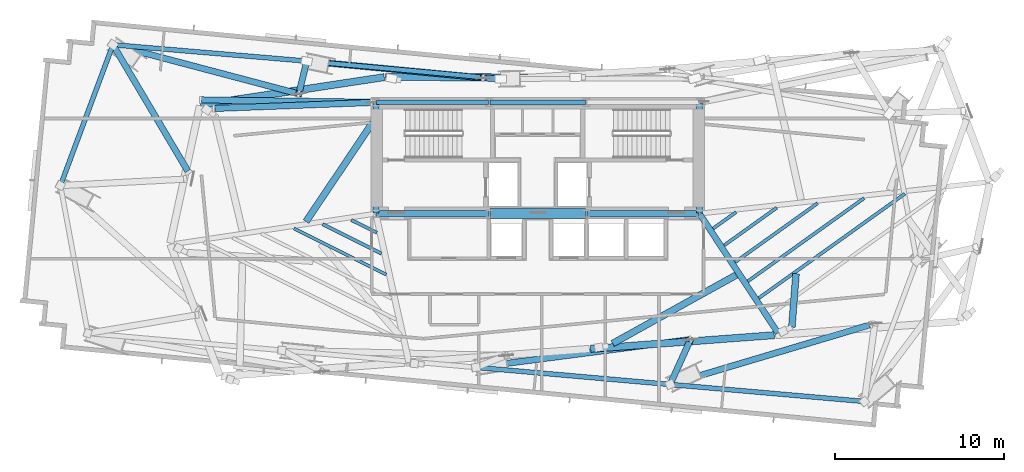
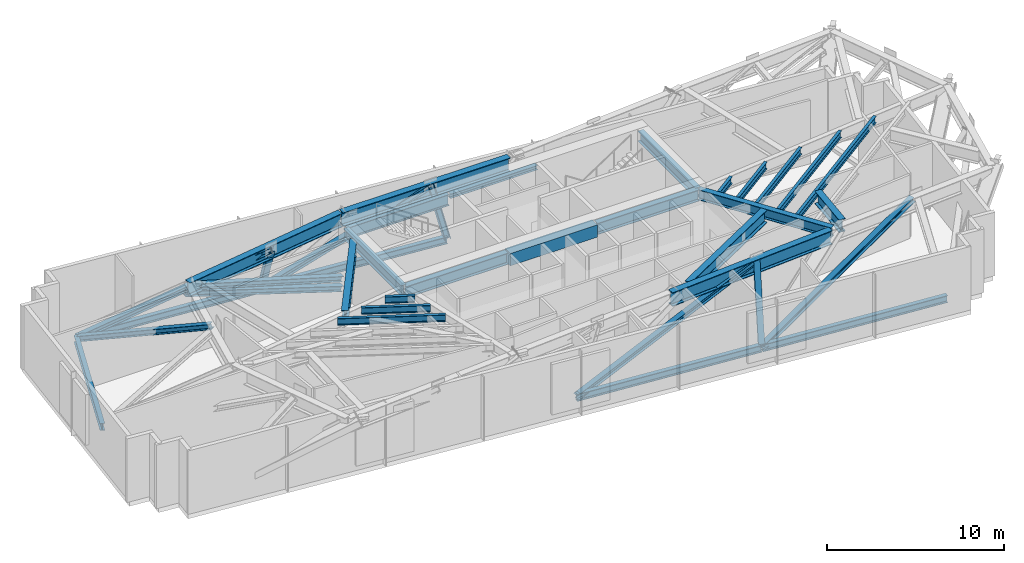
# One storey, part 2 of 10: 22 beams, 15 members.
"""IFC4 building model written with IfcOpenShell, lengths in metres."""

import ifcopenshell
import ifcopenshell.guid

model = None  # the IFC model being written
_history = None  # IfcOwnerHistory: only IFC2X3 demands one
_inside = {}  # id of a spatial element -> (the spatial element, [elements in it])
_under = {}  # id of a project, library or spatial element -> (it, [spatial elements below it])
_declared = {}  # id of a project -> (the project, [libraries it declares])
_typed = {}  # id of a type object -> (the type object, [elements of that type])
_made_of = {}  # id of a material, layer set ... -> (it, [elements and type objects made of it])


def new_model(schema):
    """Start an empty IFC model of exactly this schema.

    Asked for "IFC4X3", IfcOpenShell would pick the latest addendum, in which some entities
    have other attributes; the version numbers below select the first issue.
    IFC2X3 requires an IfcOwnerHistory on every rooted entity: one is made here for all.
    """
    global model, _history
    if schema == "IFC4X3":
        model = ifcopenshell.file(schema_version=(4, 3, 0, 0))
    else:
        model = ifcopenshell.file(schema=schema)
    _inside.clear()
    _under.clear()
    _declared.clear()
    _typed.clear()
    _made_of.clear()
    _history = None
    if model.schema == "IFC2X3":
        org = make("IfcOrganization", Name="unknown")
        user = make(
            "IfcPersonAndOrganization",
            ThePerson=make("IfcPerson", FamilyName="unknown"),
            TheOrganization=org,
        )
        app = make(
            "IfcApplication",
            ApplicationDeveloper=org,
            Version="unknown",
            ApplicationFullName="unknown",
            ApplicationIdentifier="unknown",
        )
        _history = make(
            "IfcOwnerHistory",
            OwningUser=user,
            OwningApplication=app,
            ChangeAction="ADDED",
            CreationDate=0,
        )
    return model


def make(cls, **values):
    """One entity of the class cls with the attributes given. An attribute that is None is left unset."""
    return model.create_entity(
        cls, **{name: value for name, value in values.items() if value is not None}
    )


def rooted(cls, **values):
    """An entity with a GlobalId (a new one), such as an element, a storey or a relation."""
    return make(cls, GlobalId=ifcopenshell.guid.new(), OwnerHistory=_history, **values)


def si_unit(unit_type, name, prefix=None):
    """IfcSIUnit, for example si_unit("LENGTHUNIT", "METRE", prefix="MILLI")."""
    return make("IfcSIUnit", UnitType=unit_type, Prefix=prefix, Name=name)


def assignment(units):
    """IfcUnitAssignment: the units of a project."""
    return None if units is None else make("IfcUnitAssignment", Units=units)


def point(xyz):
    """IfcCartesianPoint."""
    return None if xyz is None else make("IfcCartesianPoint", Coordinates=xyz)


def direction(xyz):
    """IfcDirection."""
    return None if xyz is None else make("IfcDirection", DirectionRatios=xyz)


def frame(location, z_axis=None, x_axis=None):
    """IfcAxis2Placement3D, a coordinate frame: its origin and axes. An axis left out is left unset."""
    return make(
        "IfcAxis2Placement3D",
        Location=point(location),
        Axis=direction(z_axis),
        RefDirection=direction(x_axis),
    )


def frame_2d(location, x_axis=None):
    """IfcAxis2Placement2D, a coordinate frame in the plane: its origin and x axis."""
    return make(
        "IfcAxis2Placement2D", Location=point(location), RefDirection=direction(x_axis)
    )


def origin():
    """The frame at (0, 0, 0) with its axes left unset."""
    return frame((0.0, 0.0, 0.0))


def origin_2d():
    """The frame at (0, 0) in the plane with its x axis left unset."""
    return frame_2d((0.0, 0.0))


def place(relative_to, where):
    """IfcLocalPlacement: puts the frame where relative to a parent placement (None: the world)."""
    return make(
        "IfcLocalPlacement", PlacementRelTo=relative_to, RelativePlacement=where
    )


def context(
    kind, dimensions, precision=None, world=None, true_north=None, identifier=None
):
    """IfcGeometricRepresentationContext, for example the 3D "Model" context."""
    return make(
        "IfcGeometricRepresentationContext",
        ContextIdentifier=identifier,
        ContextType=kind,
        CoordinateSpaceDimension=dimensions,
        Precision=precision,
        WorldCoordinateSystem=world,
        TrueNorth=true_north,
    )


def subcontext(parent, identifier, kind, view, scale=None):
    """IfcGeometricRepresentationSubContext, for example "Body" below "Model"."""
    return make(
        "IfcGeometricRepresentationSubContext",
        ContextIdentifier=identifier,
        ContextType=kind,
        ParentContext=parent,
        TargetScale=scale,
        TargetView=view,
    )


def project(units=None, contexts=None):
    """IfcProject with its units and contexts."""
    return rooted(
        "IfcProject",
        Name="project",
        RepresentationContexts=contexts,
        UnitsInContext=assignment(units),
    )


def spatial(cls, under=None, at=None, **own):
    """A site, building, storey or space (cls), placed at a placement, below another one or the project."""
    s = rooted(cls, ObjectPlacement=at, **own)
    if under is not None:
        _under.setdefault(under.id(), (under, []))[1].append(s)
    return s


def profile(cls, at=None, kind="AREA", **sizes):
    """A parametric profile (cls). Its sizes go by their IFC names, for example OverallWidth=200.0."""
    return make(cls, ProfileType=kind, Position=at, **sizes)


def rectangle(**sizes):
    """IfcRectangleProfileDef."""
    return profile("IfcRectangleProfileDef", **sizes)


def i_section(**sizes):
    """IfcIShapeProfileDef."""
    return profile("IfcIShapeProfileDef", **sizes)


def extrude(swept, where, along, depth):
    """IfcExtrudedAreaSolid: the profile swept, set in the frame where, extruded along a direction by depth."""
    return make(
        "IfcExtrudedAreaSolid",
        SweptArea=swept,
        Position=where,
        ExtrudedDirection=direction(along),
        Depth=depth,
    )


def shape(context_of_items, identifier, shape_type, items):
    """IfcShapeRepresentation: the items that make up one representation, for example the "Body"."""
    return make(
        "IfcShapeRepresentation",
        ContextOfItems=context_of_items,
        RepresentationIdentifier=identifier,
        RepresentationType=shape_type,
        Items=items,
    )


def source(mapping_origin, context_of_items, identifier, shape_type, items):
    """IfcRepresentationMap: a shape defined once, which mapped items show again and again."""
    return make(
        "IfcRepresentationMap",
        MappingOrigin=mapping_origin,
        MappedRepresentation=shape(context_of_items, identifier, shape_type, items),
    )


def transform(
    local_origin,
    x_axis=None,
    y_axis=None,
    z_axis=None,
    scale=None,
    scale2=None,
    scale3=None,
    uniform=True,
):
    """IfcCartesianTransformationOperator3D, or its non-uniform kind. x_axis, y_axis, z_axis: its Axis1, 2, 3."""
    if uniform:
        return make(
            "IfcCartesianTransformationOperator3D",
            Axis1=direction(x_axis),
            Axis2=direction(y_axis),
            LocalOrigin=point(local_origin),
            Scale=scale,
            Axis3=direction(z_axis),
        )
    return make(
        "IfcCartesianTransformationOperator3DnonUniform",
        Axis1=direction(x_axis),
        Axis2=direction(y_axis),
        LocalOrigin=point(local_origin),
        Scale=scale,
        Axis3=direction(z_axis),
        Scale2=scale2,
        Scale3=scale3,
    )


def mapped(mapping_source, mapping_target):
    """IfcMappedItem: shows the shape of a source again, moved by a transform."""
    return make(
        "IfcMappedItem", MappingSource=mapping_source, MappingTarget=mapping_target
    )


def material(Name=None, Category=None):
    """IfcMaterial."""
    return make("IfcMaterial", Name=Name, Category=Category)


def material_profile(
    of_material, cross_section, Name=None, Category=None, Priority=None
):
    """IfcMaterialProfile: a cross section and its material."""
    return make(
        "IfcMaterialProfile",
        Name=Name,
        Material=of_material,
        Profile=cross_section,
        Priority=Priority,
        Category=Category,
    )


def profile_set(profiles, Name=None, composite=None):
    """IfcMaterialProfileSet."""
    return make(
        "IfcMaterialProfileSet",
        Name=Name,
        MaterialProfiles=profiles,
        CompositeProfile=composite,
    )


def made_of(thing, what):
    """Note that an element or type object is made of a material, layer set ...; save() writes the relation."""
    if what is not None:
        _made_of.setdefault(what.id(), (what, []))[1].append(thing)
    return thing


def type_object(cls, material=None, **own):
    """A type object (cls), such as IfcWallType, which elements share."""
    return made_of(rooted(cls, **own), material)


def type_shapes(of_type, sources):
    """Give a type object the sources (RepresentationMaps) that its elements show as mapped items."""
    of_type.RepresentationMaps = sources


def element(
    cls,
    number,
    at=None,
    inside=None,
    cuts=None,
    type_object=None,
    material=None,
    context=None,
    identifier="Body",
    shape_type=None,
    held_by="IfcProductDefinitionShape",
    body=None,
    shapes=None,
    **own,
):
    """One element of the class cls, such as IfcWall. Its Tag is "e" and its number.

    at: its placement. inside: the storey or other place that contains it. cuts: it is an
    opening in that element (IfcRelVoidsElement). A single representation is given by context,
    identifier, shape_type and body (its items); several are given by shapes. held_by: the class
    of the entity that holds the representations. save() writes the other relations.
    """
    e = rooted(cls, Tag="e%d" % number, ObjectPlacement=at, **own)
    if body is not None:
        shapes = [shape(context, identifier, shape_type, body)]
    if shapes is not None:
        e.Representation = make(held_by, Representations=shapes)
    if inside is not None:
        _inside.setdefault(inside.id(), (inside, []))[1].append(e)
    if cuts is not None:
        rooted(
            "IfcRelVoidsElement", RelatingBuildingElement=cuts, RelatedOpeningElement=e
        )
    if type_object is not None:
        _typed.setdefault(type_object.id(), (type_object, []))[1].append(e)
    return made_of(e, material)


def aggregate(whole, parts):
    """IfcRelAggregates: a whole, such as a stair, and the parts it consists of."""
    return rooted("IfcRelAggregates", RelatingObject=whole, RelatedObjects=parts)


def save(model, path):
    """Write the relations noted so far, then the file.

    IfcRelAggregates (storeys below a building ...), IfcRelContainedInSpatialStructure (elements
    in a storey), IfcRelDefinesByType, IfcRelAssociatesMaterial and IfcRelDeclares: one each for
    every whole, place, type object, material and project.
    """
    for whole, parts in _under.values():
        aggregate(whole, parts)
    for where, things in _inside.values():
        rooted(
            "IfcRelContainedInSpatialStructure",
            RelatedElements=things,
            RelatingStructure=where,
        )
    for kind, things in _typed.values():
        rooted("IfcRelDefinesByType", RelatedObjects=things, RelatingType=kind)
    for what, things in _made_of.values():
        rooted("IfcRelAssociatesMaterial", RelatedObjects=things, RelatingMaterial=what)
    for by, libraries in _declared.values():
        rooted("IfcRelDeclares", RelatingContext=by, RelatedDefinitions=libraries)
    model.write(path)


model = new_model("IFC4")

# Units and contexts
model_context = context("Model", 3, precision=1e-05, world=origin(), true_north=direction((0.0, 1.0)))
body_context = subcontext(model_context, "Body", "Model", "MODEL_VIEW")
ifc_project = project(units=[si_unit("LENGTHUNIT", "METRE"), si_unit("AREAUNIT", "SQUARE_METRE"), si_unit("VOLUMEUNIT", "CUBIC_METRE"), si_unit("PLANEANGLEUNIT", "RADIAN"), si_unit("MASSUNIT", "GRAM", prefix="KILO")], contexts=[model_context])

# Site, building, storey
site_placement = place(None, origin())
site = spatial("IfcSite", under=ifc_project, at=site_placement, CompositionType="ELEMENT")
building_placement = place(site_placement, origin())
building = spatial("IfcBuilding", under=site, at=building_placement, Name="Astriad Promenade Condominiums", CompositionType="ELEMENT")
storey_placement = place(building_placement, frame((0.0, 0.0, 163.0)))
storey = spatial("IfcBuildingStorey", under=building, at=storey_placement, Name="L47", CompositionType="ELEMENT", Elevation=163.0)

# Beams
ifc_material_1 = material(Name="Steel ASTM A992 Grade 50", Category="steel")
ifc_material_profile_1 = material_profile(ifc_material_1, i_section(OverallWidth=0.3837890625, OverallDepth=0.785888671875, WebThickness=0.019775390625, FlangeThickness=0.033447265625, FilletRadius=0.021484375, at=origin_2d()), Name="W30X211")
ifc_profile_set_1 = profile_set([ifc_material_profile_1], Name="Steel ASTM A992 Grade 50")
beam_type_1 = type_object("IfcBeamType", Name="STEEL FLOOR GIRDER W30X211", PredefinedType="BEAM", material=ifc_profile_set_1)
shared_shape_1 = source(origin(), body_context, "Body", "SweptSolid", [
    extrude(i_section(OverallWidth=0.3837890625, OverallDepth=0.785888671875, WebThickness=0.019775390625, FlangeThickness=0.033447265625, FilletRadius=0.021484375, at=origin_2d()), origin(), (0.0, 0.0, 1.0), 6.64013671875),
])
type_shapes(beam_type_1, [shared_shape_1])
for number, where, z_axis, x_axis, name in (
    (1, (26.43994140625, 17.39990234375, 3.987060546875), (1.0, 0.0, 0.0), (0.0, 1.0, 0.0), "Core Ring Beam CG-S1-L47"),
    (2, (38.919921875, 17.39990234375, 3.987060546875), (1.0, 0.0, 0.0), (0.0, 1.0, 0.0), "Core Ring Beam CG-S3-L47"),
):
    element("IfcBeam", number, at=place(storey_placement, frame(where, z_axis=z_axis, x_axis=x_axis)), inside=storey, type_object=beam_type_1, Name=name, PredefinedType="BEAM", context=body_context, shape_type="MappedRepresentation", body=[
        mapped(shared_shape_1, transform((0.0, 0.0, 0.0), scale=1.0)),
    ])
ifc_material_profile_2 = material_profile(ifc_material_1, i_section(OverallWidth=0.267822265625, OverallDepth=0.76953125, WebThickness=0.015625, FlangeThickness=0.025390625, FilletRadius=0.021484375, at=origin_2d()), Name="W30X132")
ifc_profile_set_2 = profile_set([ifc_material_profile_2], Name="Steel ASTM A992 Grade 50")
beam_type_2 = type_object("IfcBeamType", Name="STEEL FLOOR GIRDER W30X132", PredefinedType="BEAM", material=ifc_profile_set_2)
shared_shape_2 = source(origin(), body_context, "Body", "SweptSolid", [
    extrude(i_section(OverallWidth=0.267822265625, OverallDepth=0.76953125, WebThickness=0.015625, FlangeThickness=0.025390625, FilletRadius=0.021484375, at=origin_2d()), origin(), (0.0, 0.0, 1.0), 6.64013671875),
])
type_shapes(beam_type_2, [shared_shape_2])
beam_1_placement = place(storey_placement, frame((26.43994140625, 24.0, 3.9951171875), z_axis=(1.0, 0.0, 0.0), x_axis=(0.0, 1.0, 0.0)))
element("IfcBeam", 3, at=beam_1_placement, inside=storey, type_object=beam_type_2, Name="Core Ring Beam CG-N1-L47", PredefinedType="BEAM", context=body_context, shape_type="MappedRepresentation", body=[
    mapped(shared_shape_2, transform((0.0, 0.0, 0.0), scale=1.0)),
])
ifc_material_profile_3 = material_profile(ifc_material_1, i_section(OverallWidth=0.3046875, OverallDepth=0.307861328125, WebThickness=0.010009765625, FlangeThickness=0.015380859375, FilletRadius=0.01513671875, at=origin_2d()), Name="W12X65")
ifc_profile_set_3 = profile_set([ifc_material_profile_3], Name="Steel ASTM A992 Grade 50")
beam_type_3 = type_object("IfcBeamType", Name="STEEL OPENING LINTEL W12X65", PredefinedType="LINTEL", material=ifc_profile_set_3)
shared_shape_3 = source(origin(), body_context, "Body", "SweptSolid", [
    extrude(i_section(OverallWidth=0.3046875, OverallDepth=0.307861328125, WebThickness=0.010009765625, FlangeThickness=0.015380859375, FilletRadius=0.01513671875, at=origin_2d()), origin(), (0.0, 0.0, 1.0), 5.68017578125),
])
type_shapes(beam_type_3, [shared_shape_3])
beam_2_placement = place(storey_placement, frame((33.159912109375, 24.0, 4.22607421875), z_axis=(1.0, 0.0, 0.0), x_axis=(0.0, 1.0, 0.0)))
element("IfcBeam", 4, at=beam_2_placement, inside=storey, type_object=beam_type_3, Name="Core Ring Beam CG-N2-L47", PredefinedType="LINTEL", context=body_context, shape_type="MappedRepresentation", body=[
    mapped(shared_shape_3, transform((0.0, 0.0, 0.0), scale=1.0)),
])
ifc_material_profile_4 = material_profile(ifc_material_1, i_section(OverallWidth=0.35791015625, OverallDepth=0.706298828125, WebThickness=0.018310546875, FlangeThickness=0.0302734375, FilletRadius=0.020263671875, at=origin_2d()), Name="W27X178")
ifc_profile_set_4 = profile_set([ifc_material_profile_4], Name="Steel ASTM A992 Grade 50")
beam_type_4 = type_object("IfcBeamType", Name="STEEL FLOOR GIRDER W27X178", PredefinedType="BEAM", material=ifc_profile_set_4)
shared_shape_4 = source(origin(), body_context, "Body", "SweptSolid", [
    extrude(i_section(OverallWidth=0.35791015625, OverallDepth=0.706298828125, WebThickness=0.018310546875, FlangeThickness=0.0302734375, FilletRadius=0.020263671875, at=origin_2d()), origin(), (0.0, 0.0, 1.0), 6.52001953125),
])
for number, where, z_axis, x_axis, name in (
    (5, (26.39990234375, 17.43994140625, 4.02685546875), (0.0, 1.0, 0.0), (-1.0, 0.0, 0.0), "Core Ring Beam CG-W1-L47"),
    (6, (45.60009765625, 17.43994140625, 4.02685546875), (0.0, 1.0, 0.0), (-1.0, 0.0, 0.0), "Core Ring Beam CG-E1-L47"),
):
    element("IfcBeam", number, at=place(storey_placement, frame(where, z_axis=z_axis, x_axis=x_axis)), inside=storey, type_object=beam_type_4, Name=name, PredefinedType="BEAM", context=body_context, shape_type="MappedRepresentation", body=[
        mapped(shared_shape_4, transform((0.0, 0.0, 0.0), scale=1.0)),
    ])
ifc_material_2 = material(Name="Concrete C60/75", Category="concrete")
ifc_material_profile_5 = material_profile(ifc_material_2, rectangle(XDim=0.60009765625, YDim=0.85009765625, at=origin_2d()), Name="RC-BM-600X850")
ifc_profile_set_5 = profile_set([ifc_material_profile_5], Name="Concrete C60/75")
beam_type_5 = type_object("IfcBeamType", Name="CONCRETE CORE COUPLING LINTEL 600X850", PredefinedType="LINTEL", material=ifc_profile_set_5)
shared_shape_5 = source(origin(), body_context, "Body", "SweptSolid", [
    extrude(rectangle(XDim=0.60009765625, YDim=0.85009765625, at=origin_2d()), origin(), (0.0, 0.0, 1.0), 5.68017578125),
])
type_shapes(beam_type_5, [shared_shape_5])
beam_3_placement = place(storey_placement, frame((33.159912109375, 17.39990234375, 3.955078125), z_axis=(1.0, 0.0, 0.0), x_axis=(0.0, 1.0, 0.0)))
element("IfcBeam", 7, at=beam_3_placement, inside=storey, type_object=beam_type_5, Name="Core Ring Beam CG-S2-L47", PredefinedType="LINTEL", context=body_context, shape_type="MappedRepresentation", body=[
    mapped(shared_shape_5, transform((0.0, 0.0, 0.0), scale=1.0)),
])
ifc_material_profile_6 = material_profile(ifc_material_1, i_section(OverallWidth=0.423095703125, OverallDepth=0.9482421875, WebThickness=0.02392578125, FlangeThickness=0.042724609375, FilletRadius=0.024169921875, at=origin_2d()), Name="W36X302")
ifc_profile_set_6 = profile_set([ifc_material_profile_6], Name="Steel ASTM A992 Grade 50")
beam_type_6 = type_object("IfcBeamType", Name="STEEL PERIMETER RING GIRDER W36X302", PredefinedType="BEAM", material=ifc_profile_set_6)
shared_shape_6 = source(origin(), body_context, "Body", "SweptSolid", [
    extrude(i_section(OverallWidth=0.423095703125, OverallDepth=0.9482421875, WebThickness=0.02392578125, FlangeThickness=0.042724609375, FilletRadius=0.024169921875, at=origin_2d()), origin(), (0.0, 0.0, 1.0), 10.919677734375),
])
beam_4_placement = place(storey_placement, frame((39.143310546875, 9.37939453125, 3.906005859375), z_axis=(0.997247953598, 0.074138512558, 0.0), x_axis=(-0.074138512558, 0.997247953598, 0.0)))
element("IfcBeam", 8, at=beam_4_placement, inside=storey, type_object=beam_type_6, Name="Perimeter Spandrel Beam SP-S3-L47", PredefinedType="BEAM", context=body_context, shape_type="MappedRepresentation", body=[
    mapped(shared_shape_6, transform((0.0, 0.0, 0.0), scale=1.0)),
])
shared_shape_7 = source(origin(), body_context, "Body", "SweptSolid", [
    extrude(i_section(OverallWidth=0.423095703125, OverallDepth=0.9482421875, WebThickness=0.02392578125, FlangeThickness=0.042724609375, FilletRadius=0.024169921875, at=origin_2d()), origin(), (0.0, 0.0, 1.0), 10.8896484375),
])
beam_5_placement = place(storey_placement, frame((37.87109375, 25.47216796875, 3.906005859375), z_axis=(-0.999996676345, 0.002578235534, 0.0), x_axis=(-0.002578235534, -0.999996676345, 0.0)))
element("IfcBeam", 9, at=beam_5_placement, inside=storey, type_object=beam_type_6, Name="Perimeter Spandrel Beam SP-N2-L47", PredefinedType="BEAM", context=body_context, shape_type="MappedRepresentation", body=[
    mapped(shared_shape_7, transform((0.0, 0.0, 0.0), scale=1.0)),
])
shared_shape_8 = source(origin(), body_context, "Body", "SweptSolid", [
    extrude(i_section(OverallWidth=0.423095703125, OverallDepth=0.9482421875, WebThickness=0.02392578125, FlangeThickness=0.042724609375, FilletRadius=0.024169921875, at=origin_2d()), origin(), (0.0, 0.0, 1.0), 11.0146484375),
])
type_shapes(beam_type_6, [shared_shape_6, shared_shape_7, shared_shape_8])
beam_6_placement = place(storey_placement, frame((26.902099609375, 25.494384765625, 3.906005859375), z_axis=(-0.988750893363, -0.149571624561, 0.0), x_axis=(0.149571624561, -0.988750893363, 0.0)))
element("IfcBeam", 10, at=beam_6_placement, inside=storey, type_object=beam_type_6, Name="Perimeter Spandrel Beam SP-N1-L47", PredefinedType="BEAM", context=body_context, shape_type="MappedRepresentation", body=[
    mapped(shared_shape_8, transform((0.0, 0.0, 0.0), scale=1.0)),
])
shared_shape_9 = source(origin(), body_context, "Body", "SweptSolid", [
    extrude(i_section(OverallWidth=0.35791015625, OverallDepth=0.706298828125, WebThickness=0.018310546875, FlangeThickness=0.0302734375, FilletRadius=0.020263671875, at=origin_2d()), origin(), (0.0, 0.0, 1.0), 8.431884765625),
])
type_shapes(beam_type_4, [shared_shape_4, shared_shape_9])
beam_7_placement = place(storey_placement, frame((50.25390625, 10.32080078125, 4.02685546875), z_axis=(-0.549316541675, 0.835614347077, 0.0), x_axis=(-0.835614347077, -0.549316541675, 0.0)))
element("IfcBeam", 11, at=beam_7_placement, inside=storey, type_object=beam_type_4, Name="Primary Floor Girder PG-E2-L47", PredefinedType="BEAM", context=body_context, shape_type="MappedRepresentation", body=[
    mapped(shared_shape_9, transform((0.0, 0.0, 0.0), scale=1.0)),
])
ifc_material_profile_7 = material_profile(ifc_material_1, i_section(OverallWidth=0.19287109375, OverallDepth=0.466064453125, WebThickness=0.011474609375, FlangeThickness=0.01904296875, FilletRadius=0.01513671875, at=origin_2d()), Name="W18X65")
ifc_profile_set_7 = profile_set([ifc_material_profile_7], Name="Steel ASTM A992 Grade 50")
beam_type_7 = type_object("IfcBeamType", Name="STEEL FLOOR JOIST W18X65", PredefinedType="JOIST", material=ifc_profile_set_7)
shared_shape_10 = source(origin(), body_context, "Body", "SweptSolid", [
    extrude(i_section(OverallWidth=0.19287109375, OverallDepth=0.466064453125, WebThickness=0.011474609375, FlangeThickness=0.01904296875, FilletRadius=0.01513671875, at=origin_2d()), origin(), (0.0, 0.0, 1.0), 6.112060546875),
])
beam_8_placement = place(storey_placement, frame((21.544677734375, 16.5146484375, 4.14697265625), z_axis=(0.894722586819, -0.446622315426, 0.0), x_axis=(0.446622315426, 0.894722586819, 0.0)))
element("IfcBeam", 12, at=beam_8_placement, inside=storey, type_object=beam_type_7, Name="Secondary Composite Floor Joist JW1-4-L47", PredefinedType="JOIST", context=body_context, shape_type="MappedRepresentation", body=[
    mapped(shared_shape_10, transform((0.0, 0.0, 0.0), scale=1.0)),
])
shared_shape_11 = source(origin(), body_context, "Body", "SweptSolid", [
    extrude(i_section(OverallWidth=0.19287109375, OverallDepth=0.466064453125, WebThickness=0.011474609375, FlangeThickness=0.01904296875, FilletRadius=0.01513671875, at=origin_2d()), origin(), (0.0, 0.0, 1.0), 3.906494140625),
])
beam_9_placement = place(storey_placement, frame((23.241943359375, 16.7705078125, 4.14697265625), z_axis=(0.894739447157, -0.44658853736, 0.0), x_axis=(0.44658853736, 0.894739447157, 0.0)))
element("IfcBeam", 13, at=beam_9_placement, inside=storey, type_object=beam_type_7, Name="Secondary Composite Floor Joist JW1-5-L47", PredefinedType="JOIST", context=body_context, shape_type="MappedRepresentation", body=[
    mapped(shared_shape_11, transform((0.0, 0.0, 0.0), scale=1.0)),
])
shared_shape_12 = source(origin(), body_context, "Body", "SweptSolid", [
    extrude(i_section(OverallWidth=0.19287109375, OverallDepth=0.466064453125, WebThickness=0.011474609375, FlangeThickness=0.01904296875, FilletRadius=0.01513671875, at=origin_2d()), origin(), (0.0, 0.0, 1.0), 1.701171875),
])
beam_10_placement = place(storey_placement, frame((24.93896484375, 17.0263671875, 4.14697265625), z_axis=(0.894714050089, -0.446639416727, 0.0), x_axis=(0.446639416727, 0.894714050089, 0.0)))
element("IfcBeam", 14, at=beam_10_placement, inside=storey, type_object=beam_type_7, Name="Secondary Composite Floor Joist JW1-6-L47", PredefinedType="JOIST", context=body_context, shape_type="MappedRepresentation", body=[
    mapped(shared_shape_12, transform((0.0, 0.0, 0.0), scale=1.0)),
])
shared_shape_13 = source(origin(), body_context, "Body", "SweptSolid", [
    extrude(i_section(OverallWidth=0.19287109375, OverallDepth=0.466064453125, WebThickness=0.011474609375, FlangeThickness=0.01904296875, FilletRadius=0.01513671875, at=origin_2d()), origin(), (0.0, 0.0, 1.0), 10.647216796875),
])
beam_11_placement = place(storey_placement, frame((49.120361328125, 12.388916015625, 4.14697265625), z_axis=(0.813480856632, 0.581591691733, 0.0), x_axis=(-0.581591691733, 0.813480856632, 0.0)))
element("IfcBeam", 15, at=beam_11_placement, inside=storey, type_object=beam_type_7, Name="Secondary Composite Floor Joist JE1-2-L47", PredefinedType="JOIST", context=body_context, shape_type="MappedRepresentation", body=[
    mapped(shared_shape_13, transform((0.0, 0.0, 0.0), scale=1.0)),
])
shared_shape_14 = source(origin(), body_context, "Body", "SweptSolid", [
    extrude(i_section(OverallWidth=0.19287109375, OverallDepth=0.466064453125, WebThickness=0.011474609375, FlangeThickness=0.01904296875, FilletRadius=0.01513671875, at=origin_2d()), origin(), (0.0, 0.0, 1.0), 8.48046875),
])
beam_12_placement = place(storey_placement, frame((48.4658203125, 13.384765625, 4.14697265625), z_axis=(0.81348246679, 0.581589439576, 0.0), x_axis=(-0.581589439576, 0.81348246679, 0.0)))
element("IfcBeam", 16, at=beam_12_placement, inside=storey, type_object=beam_type_7, Name="Secondary Composite Floor Joist JE1-3-L47", PredefinedType="JOIST", context=body_context, shape_type="MappedRepresentation", body=[
    mapped(shared_shape_14, transform((0.0, 0.0, 0.0), scale=1.0)),
])
shared_shape_15 = source(origin(), body_context, "Body", "SweptSolid", [
    extrude(i_section(OverallWidth=0.19287109375, OverallDepth=0.466064453125, WebThickness=0.011474609375, FlangeThickness=0.01904296875, FilletRadius=0.01513671875, at=origin_2d()), origin(), (0.0, 0.0, 1.0), 6.00390625),
])
beam_13_placement = place(storey_placement, frame((47.717529296875, 14.522705078125, 4.14697265625), z_axis=(0.813488864011, 0.581580491531, 0.0), x_axis=(-0.581580491531, 0.813488864011, 0.0)))
element("IfcBeam", 17, at=beam_13_placement, inside=storey, type_object=beam_type_7, Name="Secondary Composite Floor Joist JE1-4-L47", PredefinedType="JOIST", context=body_context, shape_type="MappedRepresentation", body=[
    mapped(shared_shape_15, transform((0.0, 0.0, 0.0), scale=1.0)),
])
shared_shape_16 = source(origin(), body_context, "Body", "SweptSolid", [
    extrude(i_section(OverallWidth=0.19287109375, OverallDepth=0.466064453125, WebThickness=0.011474609375, FlangeThickness=0.01904296875, FilletRadius=0.01513671875, at=origin_2d()), origin(), (0.0, 0.0, 1.0), 3.836669921875),
])
beam_14_placement = place(storey_placement, frame((47.06298828125, 15.518310546875, 4.14697265625), z_axis=(0.813475422246, 0.581599292814, 0.0), x_axis=(-0.581599292814, 0.813475422246, 0.0)))
element("IfcBeam", 18, at=beam_14_placement, inside=storey, type_object=beam_type_7, Name="Secondary Composite Floor Joist JE1-5-L47", PredefinedType="JOIST", context=body_context, shape_type="MappedRepresentation", body=[
    mapped(shared_shape_16, transform((0.0, 0.0, 0.0), scale=1.0)),
])
shared_shape_17 = source(origin(), body_context, "Body", "SweptSolid", [
    extrude(i_section(OverallWidth=0.19287109375, OverallDepth=0.466064453125, WebThickness=0.011474609375, FlangeThickness=0.01904296875, FilletRadius=0.01513671875, at=origin_2d()), origin(), (0.0, 0.0, 1.0), 1.669677734375),
])
type_shapes(beam_type_7, [shared_shape_10, shared_shape_11, shared_shape_12, shared_shape_13, shared_shape_14, shared_shape_15, shared_shape_16, shared_shape_17])
beam_15_placement = place(storey_placement, frame((46.408447265625, 16.51416015625, 4.14697265625), z_axis=(0.813427084648, 0.581666896051, 0.0), x_axis=(-0.581666896051, 0.813427084648, 0.0)))
element("IfcBeam", 19, at=beam_15_placement, inside=storey, type_object=beam_type_7, Name="Secondary Composite Floor Joist JE1-6-L47", PredefinedType="JOIST", context=body_context, shape_type="MappedRepresentation", body=[
    mapped(shared_shape_17, transform((0.0, 0.0, 0.0), scale=1.0)),
])
ifc_material_profile_8 = material_profile(ifc_material_1, i_section(OverallWidth=0.4013671875, OverallDepth=0.877197265625, WebThickness=0.022216796875, FlangeThickness=0.039794921875, FilletRadius=0.02294921875, at=origin_2d()), Name="W33X263")
ifc_profile_set_8 = profile_set([ifc_material_profile_8], Name="Steel ASTM A992 Grade 50")
beam_type_8 = type_object("IfcBeamType", Name="STEEL TRANSFER CARRIER GIRDER W33X263", PredefinedType="BEAM", material=ifc_profile_set_8)
shared_shape_18 = source(origin(), body_context, "Body", "SweptSolid", [
    extrude(i_section(OverallWidth=0.4013671875, OverallDepth=0.877197265625, WebThickness=0.022216796875, FlangeThickness=0.039794921875, FilletRadius=0.02294921875, at=origin_2d()), origin(), (0.0, 0.0, 1.0), 8.3740234375),
])
beam_16_placement = place(storey_placement, frame((47.772216796875, 13.751953125, 3.94140625), z_axis=(-0.87465463827, -0.484746597464, 0.0), x_axis=(0.484746597464, -0.87465463827, 0.0)))
element("IfcBeam", 20, at=beam_16_placement, inside=storey, type_object=beam_type_8, Name="Transfer Splice Carrier TRM-SP-PC03-L47", PredefinedType="BEAM", context=body_context, shape_type="MappedRepresentation", body=[
    mapped(shared_shape_18, transform((0.0, 0.0, 0.0), scale=1.0)),
])
shared_shape_19 = source(origin(), body_context, "Body", "SweptSolid", [
    extrude(i_section(OverallWidth=0.4013671875, OverallDepth=0.877197265625, WebThickness=0.022216796875, FlangeThickness=0.039794921875, FilletRadius=0.02294921875, at=origin_2d()), origin(), (0.0, 0.0, 1.0), 3.182373046875),
])
beam_17_placement = place(storey_placement, frame((51.324951171875, 13.837158203125, 3.94140625), z_axis=(-0.077946048469, -0.9969575786, 0.0), x_axis=(0.9969575786, -0.077946048469, 0.0)))
element("IfcBeam", 21, at=beam_17_placement, inside=storey, type_object=beam_type_8, Name="Transfer Splice Carrier TRM-SP-PC04-L47", PredefinedType="BEAM", context=body_context, shape_type="MappedRepresentation", body=[
    mapped(shared_shape_19, transform((0.0, 0.0, 0.0), scale=1.0)),
])
shared_shape_20 = source(origin(), body_context, "Body", "SweptSolid", [
    extrude(i_section(OverallWidth=0.4013671875, OverallDepth=0.877197265625, WebThickness=0.022216796875, FlangeThickness=0.039794921875, FilletRadius=0.02294921875, at=origin_2d()), origin(), (0.0, 0.0, 1.0), 7.08203125),
])
type_shapes(beam_type_8, [shared_shape_18, shared_shape_19, shared_shape_20])
beam_18_placement = place(storey_placement, frame((22.261474609375, 16.931396484375, 3.94140625), z_axis=(0.558322530432, 0.829623982303, 0.0), x_axis=(-0.829623982303, 0.558322530432, 0.0)))
element("IfcBeam", 22, at=beam_18_placement, inside=storey, type_object=beam_type_8, Name="Transfer Splice Carrier TRM-SP-PC07-L47", PredefinedType="BEAM", context=body_context, shape_type="MappedRepresentation", body=[
    mapped(shared_shape_20, transform((0.0, 0.0, 0.0), scale=1.0)),
])

# Members
ifc_material_profile_9 = material_profile(ifc_material_1, i_section(OverallWidth=0.283447265625, OverallDepth=0.489013671875, WebThickness=0.01708984375, FlangeThickness=0.030517578125, FilletRadius=0.01513671875, at=origin_2d()), Name="W18X130")
ifc_profile_set_9 = profile_set([ifc_material_profile_9], Name="Steel ASTM A992 Grade 50")
member_type_1 = type_object("IfcMemberType", Name="STEEL BELT TRUSS CHORD W18X130", PredefinedType="CHORD", material=ifc_profile_set_9)
shared_shape_21 = source(origin(), body_context, "Body", "SweptSolid", [
    extrude(i_section(OverallWidth=0.283447265625, OverallDepth=0.489013671875, WebThickness=0.01708984375, FlangeThickness=0.030517578125, FilletRadius=0.01513671875, at=origin_2d()), origin(), (0.0, 0.0, 1.0), 11.51171875),
])
member_1_placement = place(storey_placement, frame((32.36376953125, 8.276611328125, 0.139892578125), z_axis=(0.99615487667, -0.08760971228, 0.0), x_axis=(0.08760971228, 0.99615487667, 0.0)))
element("IfcMember", 23, at=member_1_placement, inside=storey, type_object=member_type_1, Name="Belt Truss Chord L47-03", PredefinedType="CHORD", context=body_context, shape_type="MappedRepresentation", body=[
    mapped(shared_shape_21, transform((0.0, 0.0, 0.0), scale=1.0)),
])
ifc_material_profile_10 = material_profile(ifc_material_1, i_section(OverallWidth=0.368896484375, OverallDepth=0.356201171875, WebThickness=0.01123046875, FlangeThickness=0.01806640625, FilletRadius=0.017822265625, at=origin_2d()), Name="W14X90")
ifc_profile_set_10 = profile_set([ifc_material_profile_10], Name="Steel ASTM A992 Grade 50")
member_type_2 = type_object("IfcMemberType", Name="STEEL BELT TRUSS DIAGONAL W14X90", PredefinedType="BRACE", material=ifc_profile_set_10)
shared_shape_22 = source(origin(), body_context, "Body", "SweptSolid", [
    extrude(i_section(OverallWidth=0.368896484375, OverallDepth=0.356201171875, WebThickness=0.01123046875, FlangeThickness=0.01806640625, FilletRadius=0.017822265625, at=origin_2d()), origin(), (0.0, 0.0, 1.0), 13.412841796875),
])
member_2_placement = place(storey_placement, frame((32.362548828125, 8.281982421875, 0.1474609375), z_axis=(0.945495296076, 0.122862513207, 0.301568313897), x_axis=(-0.128861726001, 0.991662571428, 0.0)))
element("IfcMember", 24, at=member_2_placement, inside=storey, type_object=member_type_2, Name="Belt Truss Diagonal L47-03A", PredefinedType="BRACE", context=body_context, shape_type="MappedRepresentation", body=[
    mapped(shared_shape_22, transform((0.0, 0.0, 0.0), scale=1.0)),
])
shared_shape_23 = source(origin(), body_context, "Body", "SweptSolid", [
    extrude(i_section(OverallWidth=0.368896484375, OverallDepth=0.356201171875, WebThickness=0.01123046875, FlangeThickness=0.01806640625, FilletRadius=0.017822265625, at=origin_2d()), origin(), (0.0, 0.0, 1.0), 4.95654296875),
])
member_3_placement = place(storey_placement, frame((43.8623046875, 7.279296875, 0.160400390625), z_axis=(0.242047345274, 0.53276029436, 0.810912789021), x_axis=(-0.910441413252, 0.413638045924, 0.0)))
element("IfcMember", 25, at=member_3_placement, inside=storey, type_object=member_type_2, Name="Belt Truss Diagonal L47-03B", PredefinedType="BRACE", context=body_context, shape_type="MappedRepresentation", body=[
    mapped(shared_shape_23, transform((0.0, 0.0, 0.0), scale=1.0)),
])
shared_shape_24 = source(origin(), body_context, "Body", "SweptSolid", [
    extrude(i_section(OverallWidth=0.283447265625, OverallDepth=0.489013671875, WebThickness=0.01708984375, FlangeThickness=0.030517578125, FilletRadius=0.01513671875, at=origin_2d()), origin(), (0.0, 0.0, 1.0), 11.515625),
])
member_4_placement = place(storey_placement, frame((43.881103515625, 7.263671875, 0.139892578125), z_axis=(0.996185336442, -0.087262680786, 0.0), x_axis=(0.087262680786, 0.996185336442, 0.0)))
element("IfcMember", 26, at=member_4_placement, inside=storey, type_object=member_type_1, Name="Belt Truss Chord L47-04", PredefinedType="CHORD", context=body_context, shape_type="MappedRepresentation", body=[
    mapped(shared_shape_24, transform((0.0, 0.0, 0.0), scale=1.0)),
])
shared_shape_25 = source(origin(), body_context, "Body", "SweptSolid", [
    extrude(i_section(OverallWidth=0.368896484375, OverallDepth=0.356201171875, WebThickness=0.01123046875, FlangeThickness=0.01806640625, FilletRadius=0.017822265625, at=origin_2d()), origin(), (0.0, 0.0, 1.0), 12.99560546875),
])
member_5_placement = place(storey_placement, frame((43.87890625, 7.272705078125, 0.147705078125), z_axis=(0.912640059468, 0.27187581187, 0.305240339363), x_axis=(-0.285501260657, 0.958378333521, 0.0)))
element("IfcMember", 27, at=member_5_placement, inside=storey, type_object=member_type_2, Name="Belt Truss Diagonal L47-04A", PredefinedType="BRACE", context=body_context, shape_type="MappedRepresentation", body=[
    mapped(shared_shape_25, transform((0.0, 0.0, 0.0), scale=1.0)),
])
shared_shape_26 = source(origin(), body_context, "Body", "SweptSolid", [
    extrude(i_section(OverallWidth=0.283447265625, OverallDepth=0.489013671875, WebThickness=0.01708984375, FlangeThickness=0.030517578125, FilletRadius=0.01513671875, at=origin_2d()), origin(), (0.0, 0.0, 1.0), 11.488525390625),
])
member_6_placement = place(storey_placement, frame((10.830810546875, 27.412841796875, 0.139892578125), z_axis=(0.996470758592, -0.083940617527, 0.0), x_axis=(0.083940617527, 0.996470758592, 0.0)))
element("IfcMember", 28, at=member_6_placement, inside=storey, type_object=member_type_1, Name="Belt Truss Chord L47-05", PredefinedType="CHORD", context=body_context, shape_type="MappedRepresentation", body=[
    mapped(shared_shape_26, transform((0.0, 0.0, 0.0), scale=1.0)),
])
shared_shape_27 = source(origin(), body_context, "Body", "SweptSolid", [
    extrude(i_section(OverallWidth=0.368896484375, OverallDepth=0.356201171875, WebThickness=0.01123046875, FlangeThickness=0.01806640625, FilletRadius=0.017822265625, at=origin_2d()), origin(), (0.0, 0.0, 1.0), 12.05712890625),
])
member_7_placement = place(storey_placement, frame((10.828857421875, 27.408935546875, 0.1484375), z_axis=(0.910800287099, -0.240816073775, 0.33533633211), x_axis=(0.25561666759, 0.966778216165, 0.0)))
element("IfcMember", 29, at=member_7_placement, inside=storey, type_object=member_type_2, Name="Belt Truss Diagonal L47-05A", PredefinedType="BRACE", context=body_context, shape_type="MappedRepresentation", body=[
    mapped(shared_shape_27, transform((0.0, 0.0, 0.0), scale=1.0)),
])
shared_shape_28 = source(origin(), body_context, "Body", "SweptSolid", [
    extrude(i_section(OverallWidth=0.368896484375, OverallDepth=0.356201171875, WebThickness=0.01123046875, FlangeThickness=0.01806640625, FilletRadius=0.017822265625, at=origin_2d()), origin(), (0.0, 0.0, 1.0), 4.477294921875),
])
member_8_placement = place(storey_placement, frame((22.301025390625, 26.435546875, 0.162353515625), z_axis=(-0.103879178184, -0.430076156609, 0.896796306781), x_axis=(0.972047300983, -0.234785103128, 0.0)))
element("IfcMember", 30, at=member_8_placement, inside=storey, type_object=member_type_2, Name="Belt Truss Diagonal L47-05B", PredefinedType="BRACE", context=body_context, shape_type="MappedRepresentation", body=[
    mapped(shared_shape_28, transform((0.0, 0.0, 0.0), scale=1.0)),
])
shared_shape_29 = source(origin(), body_context, "Body", "SweptSolid", [
    extrude(i_section(OverallWidth=0.283447265625, OverallDepth=0.489013671875, WebThickness=0.01708984375, FlangeThickness=0.030517578125, FilletRadius=0.01513671875, at=origin_2d()), origin(), (0.0, 0.0, 1.0), 11.5078125),
])
member_9_placement = place(storey_placement, frame((22.32861328125, 26.444091796875, 0.139892578125), z_axis=(0.99576987486, -0.091882296014, 0.0), x_axis=(0.091882296014, 0.99576987486, 0.0)))
element("IfcMember", 31, at=member_9_placement, inside=storey, type_object=member_type_1, Name="Belt Truss Chord L47-06", PredefinedType="CHORD", context=body_context, shape_type="MappedRepresentation", body=[
    mapped(shared_shape_29, transform((0.0, 0.0, 0.0), scale=1.0)),
])
shared_shape_30 = source(origin(), body_context, "Body", "SweptSolid", [
    extrude(i_section(OverallWidth=0.368896484375, OverallDepth=0.356201171875, WebThickness=0.01123046875, FlangeThickness=0.01806640625, FilletRadius=0.017822265625, at=origin_2d()), origin(), (0.0, 0.0, 1.0), 11.220703125),
])
member_10_placement = place(storey_placement, frame((22.326904296875, 26.444091796875, 0.14892578125), z_axis=(0.928689012927, -0.088184442738, 0.360222460887), x_axis=(0.094530620653, 0.995521954433, 0.0)))
element("IfcMember", 32, at=member_10_placement, inside=storey, type_object=member_type_2, Name="Belt Truss Diagonal L47-06A", PredefinedType="BRACE", context=body_context, shape_type="MappedRepresentation", body=[
    mapped(shared_shape_30, transform((0.0, 0.0, 0.0), scale=1.0)),
])
shared_shape_31 = source(origin(), body_context, "Body", "SweptSolid", [
    extrude(i_section(OverallWidth=0.368896484375, OverallDepth=0.356201171875, WebThickness=0.01123046875, FlangeThickness=0.01806640625, FilletRadius=0.017822265625, at=origin_2d()), origin(), (0.0, 0.0, 1.0), 4.14208984375),
])
member_11_placement = place(storey_placement, frame((33.806396484375, 25.384765625, 0.164306640625), z_axis=(-0.248559683532, 0.016209132789, 0.968480948567), x_axis=(-0.065074014941, -0.997880440022, 0.0)))
element("IfcMember", 33, at=member_11_placement, inside=storey, type_object=member_type_2, Name="Belt Truss Diagonal L47-06B", PredefinedType="BRACE", context=body_context, shape_type="MappedRepresentation", body=[
    mapped(shared_shape_31, transform((0.0, 0.0, 0.0), scale=1.0)),
])
shared_shape_32 = source(origin(), body_context, "Body", "SweptSolid", [
    extrude(i_section(OverallWidth=0.283447265625, OverallDepth=0.489013671875, WebThickness=0.01708984375, FlangeThickness=0.030517578125, FilletRadius=0.01513671875, at=origin_2d()), origin(), (0.0, 0.0, 1.0), 8.86328125),
])
type_shapes(member_type_1, [shared_shape_21, shared_shape_24, shared_shape_26, shared_shape_29, shared_shape_32])
member_12_placement = place(storey_placement, frame((7.702880859375, 19.086181640625, 0.139892578125), z_axis=(0.349139376992, 0.937070805987, 0.0), x_axis=(-0.937070805987, 0.349139376992, 0.0)))
element("IfcMember", 34, at=member_12_placement, inside=storey, type_object=member_type_1, Name="Belt Truss Chord L47-10", PredefinedType="CHORD", context=body_context, shape_type="MappedRepresentation", body=[
    mapped(shared_shape_32, transform((0.0, 0.0, 0.0), scale=1.0)),
])
shared_shape_33 = source(origin(), body_context, "Body", "SweptSolid", [
    extrude(i_section(OverallWidth=0.368896484375, OverallDepth=0.356201171875, WebThickness=0.01123046875, FlangeThickness=0.01806640625, FilletRadius=0.017822265625, at=origin_2d()), origin(), (0.0, 0.0, 1.0), 9.566650390625),
])
type_shapes(member_type_2, [shared_shape_22, shared_shape_23, shared_shape_25, shared_shape_27, shared_shape_28, shared_shape_30, shared_shape_31, shared_shape_33])
member_13_placement = place(storey_placement, frame((10.817626953125, 27.395263671875, 0.150146484375), z_axis=(0.466834835734, -0.787542941603, 0.402295104713), x_axis=(0.860223154272, 0.509917762835, 0.0)))
element("IfcMember", 35, at=member_13_placement, inside=storey, type_object=member_type_2, Name="Belt Truss Diagonal L47-10B", PredefinedType="BRACE", context=body_context, shape_type="MappedRepresentation", body=[
    mapped(shared_shape_33, transform((0.0, 0.0, 0.0), scale=1.0)),
])
ifc_material_profile_11 = material_profile(ifc_material_1, i_section(OverallWidth=0.37255859375, OverallDepth=0.367919921875, WebThickness=0.014892578125, FlangeThickness=0.02392578125, FilletRadius=0.017822265625, at=origin_2d()), Name="W14X120")
ifc_profile_set_11 = profile_set([ifc_material_profile_11], Name="Steel ASTM A992 Grade 50")
member_type_3 = type_object("IfcMemberType", Name="STEEL OUTRIGGER DIAGONAL W14X120", PredefinedType="BRACE", material=ifc_profile_set_11)
shared_shape_34 = source(origin(), body_context, "Body", "SweptSolid", [
    extrude(i_section(OverallWidth=0.37255859375, OverallDepth=0.367919921875, WebThickness=0.014892578125, FlangeThickness=0.02392578125, FilletRadius=0.017822265625, at=origin_2d()), origin(), (0.0, 0.0, 1.0), 10.583984375),
])
member_14_placement = place(storey_placement, frame((26.13232421875, 24.00390625, 0.322265625), z_axis=(-0.955896537695, 0.01358646382, 0.293389190708), x_axis=(-0.014211885004, -0.999899006062, 0.0)))
element("IfcMember", 36, at=member_14_placement, inside=storey, type_object=member_type_3, Name="Outrigger Truss Diagonal L47-01A", PredefinedType="BRACE", context=body_context, shape_type="MappedRepresentation", body=[
    mapped(shared_shape_34, transform((0.0, 0.0, 0.0), scale=1.0)),
])
shared_shape_35 = source(origin(), body_context, "Body", "SweptSolid", [
    extrude(i_section(OverallWidth=0.37255859375, OverallDepth=0.367919921875, WebThickness=0.014892578125, FlangeThickness=0.02392578125, FilletRadius=0.017822265625, at=origin_2d()), origin(), (0.0, 0.0, 1.0), 9.809814453125),
])
type_shapes(member_type_3, [shared_shape_34, shared_shape_35])
member_15_placement = place(storey_placement, frame((26.13330078125, 23.989990234375, 1.0048828125), z_axis=(-0.952140770079, -0.036260889278, 0.303501403396), x_axis=(0.038055950747, -0.999275609936, 0.0)))
element("IfcMember", 37, at=member_15_placement, inside=storey, type_object=member_type_3, Name="Outrigger Truss Diagonal L47-01B", PredefinedType="BRACE", context=body_context, shape_type="MappedRepresentation", body=[
    mapped(shared_shape_35, transform((0.0, 0.0, 0.0), scale=1.0)),
])

save(model, "model.ifc")
